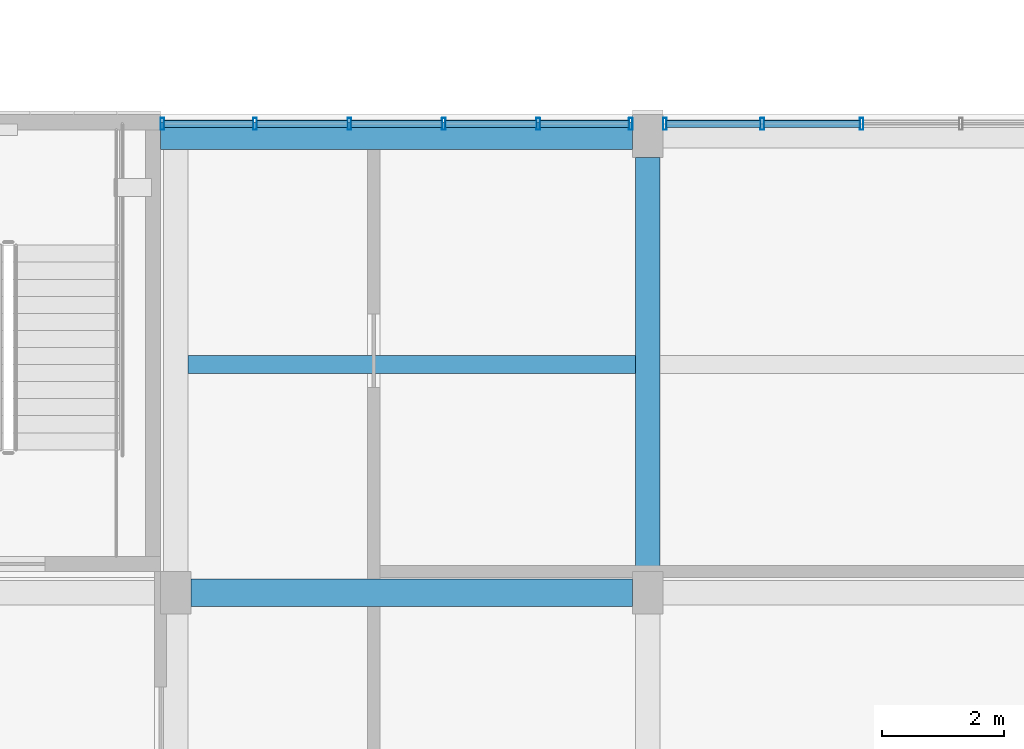
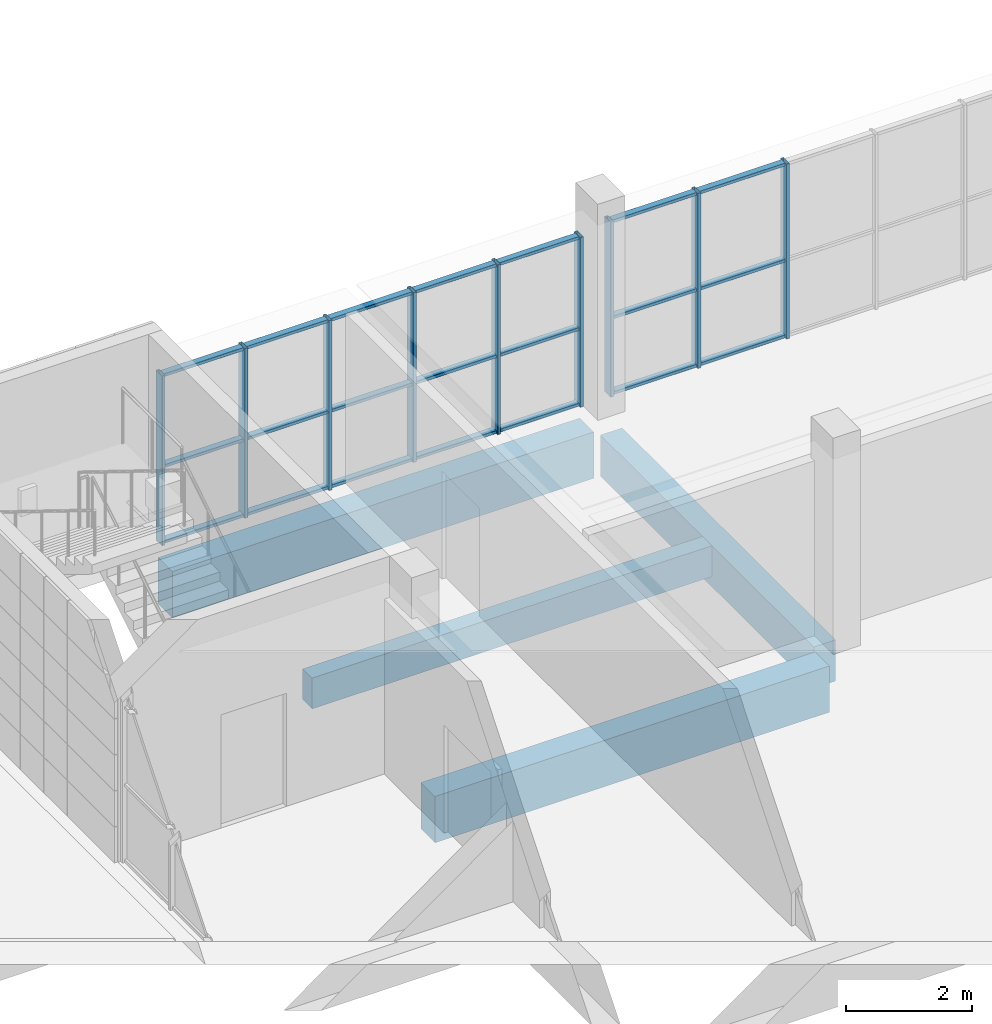
# One storey, part 14 of 36: 30 members, 4 beams, 2 elements without a shape of their own.
"""IFC4 building model written with IfcOpenShell, lengths in metres."""

import ifcopenshell
import ifcopenshell.guid

model = None  # the IFC model being written
_history = None  # IfcOwnerHistory: only IFC2X3 demands one
_inside = {}  # id of a spatial element -> (the spatial element, [elements in it])
_under = {}  # id of a project, library or spatial element -> (it, [spatial elements below it])
_declared = {}  # id of a project -> (the project, [libraries it declares])
_typed = {}  # id of a type object -> (the type object, [elements of that type])
_made_of = {}  # id of a material, layer set ... -> (it, [elements and type objects made of it])


def new_model(schema):
    """Start an empty IFC model of exactly this schema.

    Asked for "IFC4X3", IfcOpenShell would pick the latest addendum, in which some entities
    have other attributes; the version numbers below select the first issue.
    IFC2X3 requires an IfcOwnerHistory on every rooted entity: one is made here for all.
    """
    global model, _history
    if schema == "IFC4X3":
        model = ifcopenshell.file(schema_version=(4, 3, 0, 0))
    else:
        model = ifcopenshell.file(schema=schema)
    _inside.clear()
    _under.clear()
    _declared.clear()
    _typed.clear()
    _made_of.clear()
    _history = None
    if model.schema == "IFC2X3":
        org = make("IfcOrganization", Name="unknown")
        user = make(
            "IfcPersonAndOrganization",
            ThePerson=make("IfcPerson", FamilyName="unknown"),
            TheOrganization=org,
        )
        app = make(
            "IfcApplication",
            ApplicationDeveloper=org,
            Version="unknown",
            ApplicationFullName="unknown",
            ApplicationIdentifier="unknown",
        )
        _history = make(
            "IfcOwnerHistory",
            OwningUser=user,
            OwningApplication=app,
            ChangeAction="ADDED",
            CreationDate=0,
        )
    return model


def make(cls, **values):
    """One entity of the class cls with the attributes given. An attribute that is None is left unset."""
    return model.create_entity(
        cls, **{name: value for name, value in values.items() if value is not None}
    )


def rooted(cls, **values):
    """An entity with a GlobalId (a new one), such as an element, a storey or a relation."""
    return make(cls, GlobalId=ifcopenshell.guid.new(), OwnerHistory=_history, **values)


def si_unit(unit_type, name, prefix=None):
    """IfcSIUnit, for example si_unit("LENGTHUNIT", "METRE", prefix="MILLI")."""
    return make("IfcSIUnit", UnitType=unit_type, Prefix=prefix, Name=name)


def assignment(units):
    """IfcUnitAssignment: the units of a project."""
    return None if units is None else make("IfcUnitAssignment", Units=units)


def point(xyz):
    """IfcCartesianPoint."""
    return None if xyz is None else make("IfcCartesianPoint", Coordinates=xyz)


def direction(xyz):
    """IfcDirection."""
    return None if xyz is None else make("IfcDirection", DirectionRatios=xyz)


def frame(location, z_axis=None, x_axis=None):
    """IfcAxis2Placement3D, a coordinate frame: its origin and axes. An axis left out is left unset."""
    return make(
        "IfcAxis2Placement3D",
        Location=point(location),
        Axis=direction(z_axis),
        RefDirection=direction(x_axis),
    )


def frame_2d(location, x_axis=None):
    """IfcAxis2Placement2D, a coordinate frame in the plane: its origin and x axis."""
    return make(
        "IfcAxis2Placement2D", Location=point(location), RefDirection=direction(x_axis)
    )


def origin():
    """The frame at (0, 0, 0) with its axes left unset."""
    return frame((0.0, 0.0, 0.0))


def origin_2d():
    """The frame at (0, 0) in the plane with its x axis left unset."""
    return frame_2d((0.0, 0.0))


def place(relative_to, where):
    """IfcLocalPlacement: puts the frame where relative to a parent placement (None: the world)."""
    return make(
        "IfcLocalPlacement", PlacementRelTo=relative_to, RelativePlacement=where
    )


def context(
    kind, dimensions, precision=None, world=None, true_north=None, identifier=None
):
    """IfcGeometricRepresentationContext, for example the 3D "Model" context."""
    return make(
        "IfcGeometricRepresentationContext",
        ContextIdentifier=identifier,
        ContextType=kind,
        CoordinateSpaceDimension=dimensions,
        Precision=precision,
        WorldCoordinateSystem=world,
        TrueNorth=true_north,
    )


def subcontext(parent, identifier, kind, view, scale=None):
    """IfcGeometricRepresentationSubContext, for example "Body" below "Model"."""
    return make(
        "IfcGeometricRepresentationSubContext",
        ContextIdentifier=identifier,
        ContextType=kind,
        ParentContext=parent,
        TargetScale=scale,
        TargetView=view,
    )


def project(units=None, contexts=None):
    """IfcProject with its units and contexts."""
    return rooted(
        "IfcProject",
        Name="project",
        RepresentationContexts=contexts,
        UnitsInContext=assignment(units),
    )


def spatial(cls, under=None, at=None, **own):
    """A site, building, storey or space (cls), placed at a placement, below another one or the project."""
    s = rooted(cls, ObjectPlacement=at, **own)
    if under is not None:
        _under.setdefault(under.id(), (under, []))[1].append(s)
    return s


def profile(cls, at=None, kind="AREA", **sizes):
    """A parametric profile (cls). Its sizes go by their IFC names, for example OverallWidth=200.0."""
    return make(cls, ProfileType=kind, Position=at, **sizes)


def rectangle(**sizes):
    """IfcRectangleProfileDef."""
    return profile("IfcRectangleProfileDef", **sizes)


def hollow_rectangle(**sizes):
    """IfcRectangleHollowProfileDef."""
    return profile("IfcRectangleHollowProfileDef", **sizes)


def extrude(swept, where, along, depth):
    """IfcExtrudedAreaSolid: the profile swept, set in the frame where, extruded along a direction by depth."""
    return make(
        "IfcExtrudedAreaSolid",
        SweptArea=swept,
        Position=where,
        ExtrudedDirection=direction(along),
        Depth=depth,
    )


def shape(context_of_items, identifier, shape_type, items):
    """IfcShapeRepresentation: the items that make up one representation, for example the "Body"."""
    return make(
        "IfcShapeRepresentation",
        ContextOfItems=context_of_items,
        RepresentationIdentifier=identifier,
        RepresentationType=shape_type,
        Items=items,
    )


def material(Name=None, Category=None):
    """IfcMaterial."""
    return make("IfcMaterial", Name=Name, Category=Category)


def material_profile(
    of_material, cross_section, Name=None, Category=None, Priority=None
):
    """IfcMaterialProfile: a cross section and its material."""
    return make(
        "IfcMaterialProfile",
        Name=Name,
        Material=of_material,
        Profile=cross_section,
        Priority=Priority,
        Category=Category,
    )


def profile_set(profiles, Name=None, composite=None):
    """IfcMaterialProfileSet."""
    return make(
        "IfcMaterialProfileSet",
        Name=Name,
        MaterialProfiles=profiles,
        CompositeProfile=composite,
    )


def made_of(thing, what):
    """Note that an element or type object is made of a material, layer set ...; save() writes the relation."""
    if what is not None:
        _made_of.setdefault(what.id(), (what, []))[1].append(thing)
    return thing


def type_object(cls, material=None, **own):
    """A type object (cls), such as IfcWallType, which elements share."""
    return made_of(rooted(cls, **own), material)


def element(
    cls,
    number,
    at=None,
    inside=None,
    cuts=None,
    type_object=None,
    material=None,
    context=None,
    identifier="Body",
    shape_type=None,
    held_by="IfcProductDefinitionShape",
    body=None,
    shapes=None,
    **own,
):
    """One element of the class cls, such as IfcWall. Its Tag is "e" and its number.

    at: its placement. inside: the storey or other place that contains it. cuts: it is an
    opening in that element (IfcRelVoidsElement). A single representation is given by context,
    identifier, shape_type and body (its items); several are given by shapes. held_by: the class
    of the entity that holds the representations. save() writes the other relations.
    """
    e = rooted(cls, Tag="e%d" % number, ObjectPlacement=at, **own)
    if body is not None:
        shapes = [shape(context, identifier, shape_type, body)]
    if shapes is not None:
        e.Representation = make(held_by, Representations=shapes)
    if inside is not None:
        _inside.setdefault(inside.id(), (inside, []))[1].append(e)
    if cuts is not None:
        rooted(
            "IfcRelVoidsElement", RelatingBuildingElement=cuts, RelatedOpeningElement=e
        )
    if type_object is not None:
        _typed.setdefault(type_object.id(), (type_object, []))[1].append(e)
    return made_of(e, material)


def aggregate(whole, parts):
    """IfcRelAggregates: a whole, such as a stair, and the parts it consists of."""
    return rooted("IfcRelAggregates", RelatingObject=whole, RelatedObjects=parts)


def save(model, path):
    """Write the relations noted so far, then the file.

    IfcRelAggregates (storeys below a building ...), IfcRelContainedInSpatialStructure (elements
    in a storey), IfcRelDefinesByType, IfcRelAssociatesMaterial and IfcRelDeclares: one each for
    every whole, place, type object, material and project.
    """
    for whole, parts in _under.values():
        aggregate(whole, parts)
    for where, things in _inside.values():
        rooted(
            "IfcRelContainedInSpatialStructure",
            RelatedElements=things,
            RelatingStructure=where,
        )
    for kind, things in _typed.values():
        rooted("IfcRelDefinesByType", RelatedObjects=things, RelatingType=kind)
    for what, things in _made_of.values():
        rooted("IfcRelAssociatesMaterial", RelatedObjects=things, RelatingMaterial=what)
    for by, libraries in _declared.values():
        rooted("IfcRelDeclares", RelatingContext=by, RelatedDefinitions=libraries)
    model.write(path)


model = new_model("IFC4")

# Units and contexts
model_context = context("Model", 3, precision=1e-05, world=origin(), true_north=direction((0.0, 1.0)))
body_context = subcontext(model_context, "Body", "Model", "MODEL_VIEW")
ifc_project = project(units=[si_unit("LENGTHUNIT", "METRE"), si_unit("AREAUNIT", "SQUARE_METRE"), si_unit("VOLUMEUNIT", "CUBIC_METRE"), si_unit("PLANEANGLEUNIT", "RADIAN"), si_unit("MASSUNIT", "GRAM", prefix="KILO")], contexts=[model_context])

# Site, building, storey
site_placement = place(None, origin())
site = spatial("IfcSite", under=ifc_project, at=site_placement, CompositionType="ELEMENT")
building_placement = place(site_placement, origin())
building = spatial("IfcBuilding", under=site, at=building_placement, Name="Sun Court Science Centre", CompositionType="ELEMENT")
storey_placement = place(building_placement, frame((0.0, 0.0, 24.75)))
storey = spatial("IfcBuildingStorey", under=building, at=storey_placement, Name="L05", CompositionType="ELEMENT", Elevation=24.75)

# Curtain wall, members
ifc_material_1 = material(Name="Aluminium EN AW-6063 T6", Category="aluminium")
curtain_wall_type = type_object("IfcCurtainWallType", Name="Laboratory tall bay curtain wall 1500", PredefinedType="NOTDEFINED", material=ifc_material_1)
curtain_wall_1_placement = place(storey_placement, origin())
curtain_wall_1 = element("IfcCurtainWall", 1, at=curtain_wall_1_placement, inside=storey, type_object=curtain_wall_type, Name="Curtain wall V4 N L05 01", PredefinedType="NOTDEFINED")
ifc_material_2 = material(Name="Aluminium EN AW-6063 T6", Category="aluminium")
ifc_material_profile_1 = material_profile(ifc_material_2, hollow_rectangle(XDim=0.06005859375, YDim=0.199951171875, WallThickness=0.0048828125, InnerFilletRadius=0.0048828125, OuterFilletRadius=0.007568359375, at=origin_2d()), Name="AL 60x200x5")
ifc_profile_set_1 = profile_set([ifc_material_profile_1], Name="Aluminium EN AW-6063 T6")
member_type_1 = type_object("IfcMemberType", Name="Curtain wall mullion AL 60x200", PredefinedType="MULLION", material=ifc_profile_set_1)
member_1_placement = place(storey_placement, frame((87.030029296875, 80.85009765625, 0.0), z_axis=(0.0, 0.0, 1.0), x_axis=(1.0, 0.0, 0.0)))
member_1 = element("IfcMember", 2, at=member_1_placement, type_object=member_type_1, Name="CW2-76 mullion 1", PredefinedType="MULLION", context=body_context, shape_type="SweptSolid", body=[
    extrude(hollow_rectangle(XDim=0.06005859375, YDim=0.199951171875, WallThickness=0.0048828125, InnerFilletRadius=0.0048828125, OuterFilletRadius=0.007568359375, at=origin_2d()), origin(), (0.0, 0.0, 1.0), 3.300048828125),
])
member_2_placement = place(storey_placement, frame((88.550048828125, 80.85009765625, 0.0), z_axis=(0.0, 0.0, 1.0), x_axis=(1.0, 0.0, 0.0)))
member_2 = element("IfcMember", 3, at=member_2_placement, type_object=member_type_1, Name="CW2-76 mullion 2", PredefinedType="MULLION", context=body_context, shape_type="SweptSolid", body=[
    extrude(hollow_rectangle(XDim=0.06005859375, YDim=0.199951171875, WallThickness=0.0048828125, InnerFilletRadius=0.0048828125, OuterFilletRadius=0.007568359375, at=origin_2d()), origin(), (0.0, 0.0, 1.0), 3.300048828125),
])
member_3_placement = place(storey_placement, frame((90.10009765625, 80.85009765625, 0.0), z_axis=(0.0, 0.0, 1.0), x_axis=(1.0, 0.0, 0.0)))
member_3 = element("IfcMember", 4, at=member_3_placement, type_object=member_type_1, Name="CW2-76 mullion 3", PredefinedType="MULLION", context=body_context, shape_type="SweptSolid", body=[
    extrude(hollow_rectangle(XDim=0.06005859375, YDim=0.199951171875, WallThickness=0.0048828125, InnerFilletRadius=0.0048828125, OuterFilletRadius=0.007568359375, at=origin_2d()), origin(), (0.0, 0.0, 1.0), 3.300048828125),
])
member_4_placement = place(storey_placement, frame((91.64990234375, 80.85009765625, 0.0), z_axis=(0.0, 0.0, 1.0), x_axis=(1.0, 0.0, 0.0)))
member_4 = element("IfcMember", 5, at=member_4_placement, type_object=member_type_1, Name="CW2-76 mullion 4", PredefinedType="MULLION", context=body_context, shape_type="SweptSolid", body=[
    extrude(hollow_rectangle(XDim=0.06005859375, YDim=0.199951171875, WallThickness=0.0048828125, InnerFilletRadius=0.0048828125, OuterFilletRadius=0.007568359375, at=origin_2d()), origin(), (0.0, 0.0, 1.0), 3.300048828125),
])
member_5_placement = place(storey_placement, frame((93.199951171875, 80.85009765625, 0.0), z_axis=(0.0, 0.0, 1.0), x_axis=(1.0, 0.0, 0.0)))
member_5 = element("IfcMember", 6, at=member_5_placement, type_object=member_type_1, Name="CW2-76 mullion 5", PredefinedType="MULLION", context=body_context, shape_type="SweptSolid", body=[
    extrude(hollow_rectangle(XDim=0.06005859375, YDim=0.199951171875, WallThickness=0.0048828125, InnerFilletRadius=0.0048828125, OuterFilletRadius=0.007568359375, at=origin_2d()), origin(), (0.0, 0.0, 1.0), 3.300048828125),
])
member_6_placement = place(storey_placement, frame((94.719970703125, 80.85009765625, 0.0), z_axis=(0.0, 0.0, 1.0), x_axis=(1.0, 0.0, 0.0)))
member_6 = element("IfcMember", 7, at=member_6_placement, type_object=member_type_1, Name="CW2-76 mullion 6", PredefinedType="MULLION", context=body_context, shape_type="SweptSolid", body=[
    extrude(hollow_rectangle(XDim=0.06005859375, YDim=0.199951171875, WallThickness=0.0048828125, InnerFilletRadius=0.0048828125, OuterFilletRadius=0.007568359375, at=origin_2d()), origin(), (0.0, 0.0, 1.0), 3.300048828125),
])

curtain_wall_2_placement = place(storey_placement, origin())
curtain_wall_2 = element("IfcCurtainWall", 8, at=curtain_wall_2_placement, inside=storey, type_object=curtain_wall_type, Name="Curtain wall V4 N L05 02", PredefinedType="NOTDEFINED")
member_7_placement = place(storey_placement, frame((95.280029296875, 80.85009765625, 0.0), z_axis=(0.0, 0.0, 1.0), x_axis=(1.0, 0.0, 0.0)))
member_7 = element("IfcMember", 9, at=member_7_placement, type_object=member_type_1, Name="CW2-77 mullion 1", PredefinedType="MULLION", context=body_context, shape_type="SweptSolid", body=[
    extrude(hollow_rectangle(XDim=0.06005859375, YDim=0.199951171875, WallThickness=0.0048828125, InnerFilletRadius=0.0048828125, OuterFilletRadius=0.007568359375, at=origin_2d()), origin(), (0.0, 0.0, 1.0), 3.39990234375),
])
member_8_placement = place(storey_placement, frame((96.8798828125, 80.85009765625, 0.0), z_axis=(0.0, 0.0, 1.0), x_axis=(1.0, 0.0, 0.0)))
member_8 = element("IfcMember", 10, at=member_8_placement, type_object=member_type_1, Name="CW2-77 mullion 2", PredefinedType="MULLION", context=body_context, shape_type="SweptSolid", body=[
    extrude(hollow_rectangle(XDim=0.06005859375, YDim=0.199951171875, WallThickness=0.0048828125, InnerFilletRadius=0.0048828125, OuterFilletRadius=0.007568359375, at=origin_2d()), origin(), (0.0, 0.0, 1.0), 3.39990234375),
])
member_9_placement = place(storey_placement, frame((98.510009765625, 80.85009765625, 0.0), z_axis=(0.0, 0.0, 1.0), x_axis=(1.0, 0.0, 0.0)))
member_9 = element("IfcMember", 11, at=member_9_placement, type_object=member_type_1, Name="CW2-77 mullion 3", PredefinedType="MULLION", context=body_context, shape_type="SweptSolid", body=[
    extrude(hollow_rectangle(XDim=0.06005859375, YDim=0.199951171875, WallThickness=0.0048828125, InnerFilletRadius=0.0048828125, OuterFilletRadius=0.007568359375, at=origin_2d()), origin(), (0.0, 0.0, 1.0), 3.39990234375),
])

# Member
ifc_material_3 = material(Name="Aluminium EN AW-6063 T6", Category="aluminium")
ifc_material_profile_2 = material_profile(ifc_material_3, hollow_rectangle(XDim=0.06005859375, YDim=0.1201171875, WallThickness=0.00390625, InnerFilletRadius=0.00390625, OuterFilletRadius=0.006103515625, at=origin_2d()), Name="AL 60x120x4")
ifc_profile_set_2 = profile_set([ifc_material_profile_2], Name="Aluminium EN AW-6063 T6")
member_type_2 = type_object("IfcMemberType", Name="Curtain wall transom AL 60x120", PredefinedType="USERDEFINED", material=ifc_profile_set_2)
member_10_placement = place(storey_placement, frame((87.06005859375, 80.85009765625, 0.030029296875), z_axis=(1.0, 0.0, 0.0), x_axis=(0.0, 0.0, 1.0)))
member_10 = element("IfcMember", 12, at=member_10_placement, type_object=member_type_2, Name="CW2-76 transom 1.1", ObjectType="TRANSOM", PredefinedType="USERDEFINED", context=body_context, shape_type="SweptSolid", body=[
    extrude(hollow_rectangle(XDim=0.06005859375, YDim=0.1201171875, WallThickness=0.00390625, InnerFilletRadius=0.00390625, OuterFilletRadius=0.006103515625, at=origin_2d()), origin(), (0.0, 0.0, 1.0), 1.4599609375),
])

member_11_placement = place(storey_placement, frame((88.580078125, 80.85009765625, 0.030029296875), z_axis=(1.0, 0.0, 0.0), x_axis=(0.0, 0.0, 1.0)))
member_11 = element("IfcMember", 13, at=member_11_placement, type_object=member_type_2, Name="CW2-76 transom 2.1", ObjectType="TRANSOM", PredefinedType="USERDEFINED", context=body_context, shape_type="SweptSolid", body=[
    extrude(hollow_rectangle(XDim=0.06005859375, YDim=0.1201171875, WallThickness=0.00390625, InnerFilletRadius=0.00390625, OuterFilletRadius=0.006103515625, at=origin_2d()), origin(), (0.0, 0.0, 1.0), 1.489990234375),
])

member_12_placement = place(storey_placement, frame((90.1298828125, 80.85009765625, 0.030029296875), z_axis=(1.0, 0.0, 0.0), x_axis=(0.0, 0.0, 1.0)))
member_12 = element("IfcMember", 14, at=member_12_placement, type_object=member_type_2, Name="CW2-76 transom 3.1", ObjectType="TRANSOM", PredefinedType="USERDEFINED", context=body_context, shape_type="SweptSolid", body=[
    extrude(hollow_rectangle(XDim=0.06005859375, YDim=0.1201171875, WallThickness=0.00390625, InnerFilletRadius=0.00390625, OuterFilletRadius=0.006103515625, at=origin_2d()), origin(), (0.0, 0.0, 1.0), 1.490234375),
])

member_13_placement = place(storey_placement, frame((91.679931640625, 80.85009765625, 0.030029296875), z_axis=(1.0, 0.0, 0.0), x_axis=(0.0, 0.0, 1.0)))
member_13 = element("IfcMember", 15, at=member_13_placement, type_object=member_type_2, Name="CW2-76 transom 4.1", ObjectType="TRANSOM", PredefinedType="USERDEFINED", context=body_context, shape_type="SweptSolid", body=[
    extrude(hollow_rectangle(XDim=0.06005859375, YDim=0.1201171875, WallThickness=0.00390625, InnerFilletRadius=0.00390625, OuterFilletRadius=0.006103515625, at=origin_2d()), origin(), (0.0, 0.0, 1.0), 1.489990234375),
])

member_14_placement = place(storey_placement, frame((93.22998046875, 80.85009765625, 0.030029296875), z_axis=(1.0, 0.0, 0.0), x_axis=(0.0, 0.0, 1.0)))
member_14 = element("IfcMember", 16, at=member_14_placement, type_object=member_type_2, Name="CW2-76 transom 5.1", ObjectType="TRANSOM", PredefinedType="USERDEFINED", context=body_context, shape_type="SweptSolid", body=[
    extrude(hollow_rectangle(XDim=0.06005859375, YDim=0.1201171875, WallThickness=0.00390625, InnerFilletRadius=0.00390625, OuterFilletRadius=0.006103515625, at=origin_2d()), origin(), (0.0, 0.0, 1.0), 1.4599609375),
])

member_15_placement = place(storey_placement, frame((87.06005859375, 80.85009765625, 1.5), z_axis=(1.0, 0.0, 0.0), x_axis=(0.0, 0.0, 1.0)))
member_15 = element("IfcMember", 17, at=member_15_placement, type_object=member_type_2, Name="CW2-76 transom 1.2", ObjectType="TRANSOM", PredefinedType="USERDEFINED", context=body_context, shape_type="SweptSolid", body=[
    extrude(hollow_rectangle(XDim=0.06005859375, YDim=0.1201171875, WallThickness=0.00390625, InnerFilletRadius=0.00390625, OuterFilletRadius=0.006103515625, at=origin_2d()), origin(), (0.0, 0.0, 1.0), 1.4599609375),
])

member_16_placement = place(storey_placement, frame((88.580078125, 80.85009765625, 1.5), z_axis=(1.0, 0.0, 0.0), x_axis=(0.0, 0.0, 1.0)))
member_16 = element("IfcMember", 18, at=member_16_placement, type_object=member_type_2, Name="CW2-76 transom 2.2", ObjectType="TRANSOM", PredefinedType="USERDEFINED", context=body_context, shape_type="SweptSolid", body=[
    extrude(hollow_rectangle(XDim=0.06005859375, YDim=0.1201171875, WallThickness=0.00390625, InnerFilletRadius=0.00390625, OuterFilletRadius=0.006103515625, at=origin_2d()), origin(), (0.0, 0.0, 1.0), 1.489990234375),
])

member_17_placement = place(storey_placement, frame((90.1298828125, 80.85009765625, 1.5), z_axis=(1.0, 0.0, 0.0), x_axis=(0.0, 0.0, 1.0)))
member_17 = element("IfcMember", 19, at=member_17_placement, type_object=member_type_2, Name="CW2-76 transom 3.2", ObjectType="TRANSOM", PredefinedType="USERDEFINED", context=body_context, shape_type="SweptSolid", body=[
    extrude(hollow_rectangle(XDim=0.06005859375, YDim=0.1201171875, WallThickness=0.00390625, InnerFilletRadius=0.00390625, OuterFilletRadius=0.006103515625, at=origin_2d()), origin(), (0.0, 0.0, 1.0), 1.490234375),
])

member_18_placement = place(storey_placement, frame((91.679931640625, 80.85009765625, 1.5), z_axis=(1.0, 0.0, 0.0), x_axis=(0.0, 0.0, 1.0)))
member_18 = element("IfcMember", 20, at=member_18_placement, type_object=member_type_2, Name="CW2-76 transom 4.2", ObjectType="TRANSOM", PredefinedType="USERDEFINED", context=body_context, shape_type="SweptSolid", body=[
    extrude(hollow_rectangle(XDim=0.06005859375, YDim=0.1201171875, WallThickness=0.00390625, InnerFilletRadius=0.00390625, OuterFilletRadius=0.006103515625, at=origin_2d()), origin(), (0.0, 0.0, 1.0), 1.489990234375),
])

member_19_placement = place(storey_placement, frame((93.22998046875, 80.85009765625, 1.5), z_axis=(1.0, 0.0, 0.0), x_axis=(0.0, 0.0, 1.0)))
member_19 = element("IfcMember", 21, at=member_19_placement, type_object=member_type_2, Name="CW2-76 transom 5.2", ObjectType="TRANSOM", PredefinedType="USERDEFINED", context=body_context, shape_type="SweptSolid", body=[
    extrude(hollow_rectangle(XDim=0.06005859375, YDim=0.1201171875, WallThickness=0.00390625, InnerFilletRadius=0.00390625, OuterFilletRadius=0.006103515625, at=origin_2d()), origin(), (0.0, 0.0, 1.0), 1.4599609375),
])

member_20_placement = place(storey_placement, frame((87.06005859375, 80.85009765625, 3.27001953125), z_axis=(1.0, 0.0, 0.0), x_axis=(0.0, 0.0, 1.0)))
member_20 = element("IfcMember", 22, at=member_20_placement, type_object=member_type_2, Name="CW2-76 transom 1.3", ObjectType="TRANSOM", PredefinedType="USERDEFINED", context=body_context, shape_type="SweptSolid", body=[
    extrude(hollow_rectangle(XDim=0.06005859375, YDim=0.1201171875, WallThickness=0.00390625, InnerFilletRadius=0.00390625, OuterFilletRadius=0.006103515625, at=origin_2d()), origin(), (0.0, 0.0, 1.0), 1.4599609375),
])

member_21_placement = place(storey_placement, frame((88.580078125, 80.85009765625, 3.27001953125), z_axis=(1.0, 0.0, 0.0), x_axis=(0.0, 0.0, 1.0)))
member_21 = element("IfcMember", 23, at=member_21_placement, type_object=member_type_2, Name="CW2-76 transom 2.3", ObjectType="TRANSOM", PredefinedType="USERDEFINED", context=body_context, shape_type="SweptSolid", body=[
    extrude(hollow_rectangle(XDim=0.06005859375, YDim=0.1201171875, WallThickness=0.00390625, InnerFilletRadius=0.00390625, OuterFilletRadius=0.006103515625, at=origin_2d()), origin(), (0.0, 0.0, 1.0), 1.489990234375),
])

member_22_placement = place(storey_placement, frame((90.1298828125, 80.85009765625, 3.27001953125), z_axis=(1.0, 0.0, 0.0), x_axis=(0.0, 0.0, 1.0)))
member_22 = element("IfcMember", 24, at=member_22_placement, type_object=member_type_2, Name="CW2-76 transom 3.3", ObjectType="TRANSOM", PredefinedType="USERDEFINED", context=body_context, shape_type="SweptSolid", body=[
    extrude(hollow_rectangle(XDim=0.06005859375, YDim=0.1201171875, WallThickness=0.00390625, InnerFilletRadius=0.00390625, OuterFilletRadius=0.006103515625, at=origin_2d()), origin(), (0.0, 0.0, 1.0), 1.490234375),
])

member_23_placement = place(storey_placement, frame((91.679931640625, 80.85009765625, 3.27001953125), z_axis=(1.0, 0.0, 0.0), x_axis=(0.0, 0.0, 1.0)))
member_23 = element("IfcMember", 25, at=member_23_placement, type_object=member_type_2, Name="CW2-76 transom 4.3", ObjectType="TRANSOM", PredefinedType="USERDEFINED", context=body_context, shape_type="SweptSolid", body=[
    extrude(hollow_rectangle(XDim=0.06005859375, YDim=0.1201171875, WallThickness=0.00390625, InnerFilletRadius=0.00390625, OuterFilletRadius=0.006103515625, at=origin_2d()), origin(), (0.0, 0.0, 1.0), 1.489990234375),
])

member_24_placement = place(storey_placement, frame((93.22998046875, 80.85009765625, 3.27001953125), z_axis=(1.0, 0.0, 0.0), x_axis=(0.0, 0.0, 1.0)))
member_24 = element("IfcMember", 26, at=member_24_placement, type_object=member_type_2, Name="CW2-76 transom 5.3", ObjectType="TRANSOM", PredefinedType="USERDEFINED", context=body_context, shape_type="SweptSolid", body=[
    extrude(hollow_rectangle(XDim=0.06005859375, YDim=0.1201171875, WallThickness=0.00390625, InnerFilletRadius=0.00390625, OuterFilletRadius=0.006103515625, at=origin_2d()), origin(), (0.0, 0.0, 1.0), 1.4599609375),
])

aggregate(curtain_wall_1, [member_1, member_2, member_3, member_4, member_5, member_6, member_10, member_11, member_12, member_13, member_14, member_15, member_16, member_17, member_18, member_19, member_20, member_21, member_22, member_23, member_24])

member_25_placement = place(storey_placement, frame((95.31005859375, 80.85009765625, 0.030029296875), z_axis=(1.0, 0.0, 0.0), x_axis=(0.0, 0.0, 1.0)))
member_25 = element("IfcMember", 27, at=member_25_placement, type_object=member_type_2, Name="CW2-77 transom 1.1", ObjectType="TRANSOM", PredefinedType="USERDEFINED", context=body_context, shape_type="SweptSolid", body=[
    extrude(hollow_rectangle(XDim=0.06005859375, YDim=0.1201171875, WallThickness=0.00390625, InnerFilletRadius=0.00390625, OuterFilletRadius=0.006103515625, at=origin_2d()), origin(), (0.0, 0.0, 1.0), 1.5400390625),
])

member_26_placement = place(storey_placement, frame((96.909912109375, 80.85009765625, 0.030029296875), z_axis=(1.0, 0.0, 0.0), x_axis=(0.0, 0.0, 1.0)))
member_26 = element("IfcMember", 28, at=member_26_placement, type_object=member_type_2, Name="CW2-77 transom 2.1", ObjectType="TRANSOM", PredefinedType="USERDEFINED", context=body_context, shape_type="SweptSolid", body=[
    extrude(hollow_rectangle(XDim=0.06005859375, YDim=0.1201171875, WallThickness=0.00390625, InnerFilletRadius=0.00390625, OuterFilletRadius=0.006103515625, at=origin_2d()), origin(), (0.0, 0.0, 1.0), 1.570068359375),
])

member_27_placement = place(storey_placement, frame((95.31005859375, 80.85009765625, 1.5), z_axis=(1.0, 0.0, 0.0), x_axis=(0.0, 0.0, 1.0)))
member_27 = element("IfcMember", 29, at=member_27_placement, type_object=member_type_2, Name="CW2-77 transom 1.2", ObjectType="TRANSOM", PredefinedType="USERDEFINED", context=body_context, shape_type="SweptSolid", body=[
    extrude(hollow_rectangle(XDim=0.06005859375, YDim=0.1201171875, WallThickness=0.00390625, InnerFilletRadius=0.00390625, OuterFilletRadius=0.006103515625, at=origin_2d()), origin(), (0.0, 0.0, 1.0), 1.5400390625),
])

member_28_placement = place(storey_placement, frame((96.909912109375, 80.85009765625, 1.5), z_axis=(1.0, 0.0, 0.0), x_axis=(0.0, 0.0, 1.0)))
member_28 = element("IfcMember", 30, at=member_28_placement, type_object=member_type_2, Name="CW2-77 transom 2.2", ObjectType="TRANSOM", PredefinedType="USERDEFINED", context=body_context, shape_type="SweptSolid", body=[
    extrude(hollow_rectangle(XDim=0.06005859375, YDim=0.1201171875, WallThickness=0.00390625, InnerFilletRadius=0.00390625, OuterFilletRadius=0.006103515625, at=origin_2d()), origin(), (0.0, 0.0, 1.0), 1.570068359375),
])

member_29_placement = place(storey_placement, frame((95.31005859375, 80.85009765625, 3.3701171875), z_axis=(1.0, 0.0, 0.0), x_axis=(0.0, 0.0, 1.0)))
member_29 = element("IfcMember", 31, at=member_29_placement, type_object=member_type_2, Name="CW2-77 transom 1.3", ObjectType="TRANSOM", PredefinedType="USERDEFINED", context=body_context, shape_type="SweptSolid", body=[
    extrude(hollow_rectangle(XDim=0.06005859375, YDim=0.1201171875, WallThickness=0.00390625, InnerFilletRadius=0.00390625, OuterFilletRadius=0.006103515625, at=origin_2d()), origin(), (0.0, 0.0, 1.0), 1.5400390625),
])

member_30_placement = place(storey_placement, frame((96.909912109375, 80.85009765625, 3.3701171875), z_axis=(1.0, 0.0, 0.0), x_axis=(0.0, 0.0, 1.0)))
member_30 = element("IfcMember", 32, at=member_30_placement, type_object=member_type_2, Name="CW2-77 transom 2.3", ObjectType="TRANSOM", PredefinedType="USERDEFINED", context=body_context, shape_type="SweptSolid", body=[
    extrude(hollow_rectangle(XDim=0.06005859375, YDim=0.1201171875, WallThickness=0.00390625, InnerFilletRadius=0.00390625, OuterFilletRadius=0.006103515625, at=origin_2d()), origin(), (0.0, 0.0, 1.0), 1.570068359375),
])

aggregate(curtain_wall_2, [member_7, member_8, member_9, member_25, member_26, member_27, member_28, member_29, member_30])

# Beams
ifc_material_4 = material(Name="Concrete C25/30", Category="concrete")
ifc_material_profile_3 = material_profile(ifc_material_4, rectangle(XDim=0.39990234375, YDim=0.800048828125, at=origin_2d()), Name="RC 400x800")
ifc_profile_set_3 = profile_set([ifc_material_profile_3], Name="Concrete C25/30")
beam_type_1 = type_object("IfcBeamType", Name="RC girder 400x800", PredefinedType="BEAM", material=ifc_profile_set_3)
beam_1_placement = place(storey_placement, frame((95.0, 73.5, -0.699951171875), z_axis=(0.0, 1.0, 0.0), x_axis=(-1.0, 0.0, 0.0)))
element("IfcBeam", 33, at=beam_1_placement, inside=storey, type_object=beam_type_1, Name="Girder L05 line 3", PredefinedType="BEAM", context=body_context, shape_type="SweptSolid", body=[
    extrude(rectangle(XDim=0.39990234375, YDim=0.800048828125, at=origin_2d()), origin(), (0.0, 0.0, 1.0), 6.800048828125),
])
ifc_material_5 = material(Name="Concrete C25/30", Category="concrete")
ifc_material_profile_4 = material_profile(ifc_material_5, rectangle(XDim=0.449951171875, YDim=0.89990234375, at=origin_2d()), Name="RC 450x900")
ifc_profile_set_4 = profile_set([ifc_material_profile_4], Name="Concrete C25/30")
beam_type_2 = type_object("IfcBeamType", Name="RC girder 450x900", PredefinedType="BEAM", material=ifc_profile_set_4)
beam_2_placement = place(storey_placement, frame((87.5, 73.14990234375, -0.75), z_axis=(1.0, 0.0, 0.0), x_axis=(0.0, 1.0, 0.0)))
element("IfcBeam", 34, at=beam_2_placement, inside=storey, type_object=beam_type_2, Name="Girder L05 row 7", PredefinedType="BEAM", context=body_context, shape_type="SweptSolid", body=[
    extrude(rectangle(XDim=0.449951171875, YDim=0.89990234375, at=origin_2d()), origin(), (0.0, 0.0, 1.0), 7.25),
])
beam_3_placement = place(storey_placement, frame((87.0, 80.64990234375, -0.75), z_axis=(1.0, 0.0, 0.0), x_axis=(0.0, 1.0, 0.0)))
element("IfcBeam", 35, at=beam_3_placement, inside=storey, type_object=beam_type_2, Name="Girder L05 row 8", PredefinedType="BEAM", context=body_context, shape_type="SweptSolid", body=[
    extrude(rectangle(XDim=0.449951171875, YDim=0.89990234375, at=origin_2d()), origin(), (0.0, 0.0, 1.0), 7.75),
])
ifc_material_6 = material(Name="Concrete C25/30", Category="concrete")
ifc_material_profile_5 = material_profile(ifc_material_6, rectangle(XDim=0.300048828125, YDim=0.60009765625, at=origin_2d()), Name="RC 300x600")
ifc_profile_set_5 = profile_set([ifc_material_profile_5], Name="Concrete C25/30")
beam_type_3 = type_object("IfcBeamType", Name="RC joist 300x600", PredefinedType="JOIST", material=ifc_profile_set_5)
beam_4_placement = place(storey_placement, frame((87.449951171875, 76.89990234375, -0.60009765625), z_axis=(1.0, 0.0, 0.0), x_axis=(0.0, 1.0, 0.0)))
element("IfcBeam", 36, at=beam_4_placement, inside=storey, type_object=beam_type_3, Name="Joist L05", PredefinedType="JOIST", context=body_context, shape_type="SweptSolid", body=[
    extrude(rectangle(XDim=0.300048828125, YDim=0.60009765625, at=origin_2d()), origin(), (0.0, 0.0, 1.0), 7.35009765625),
])

save(model, "model.ifc")
